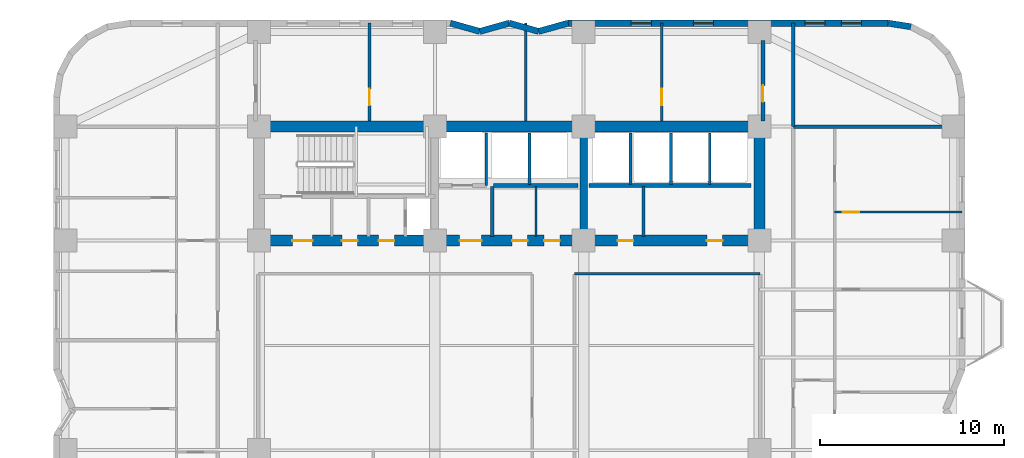
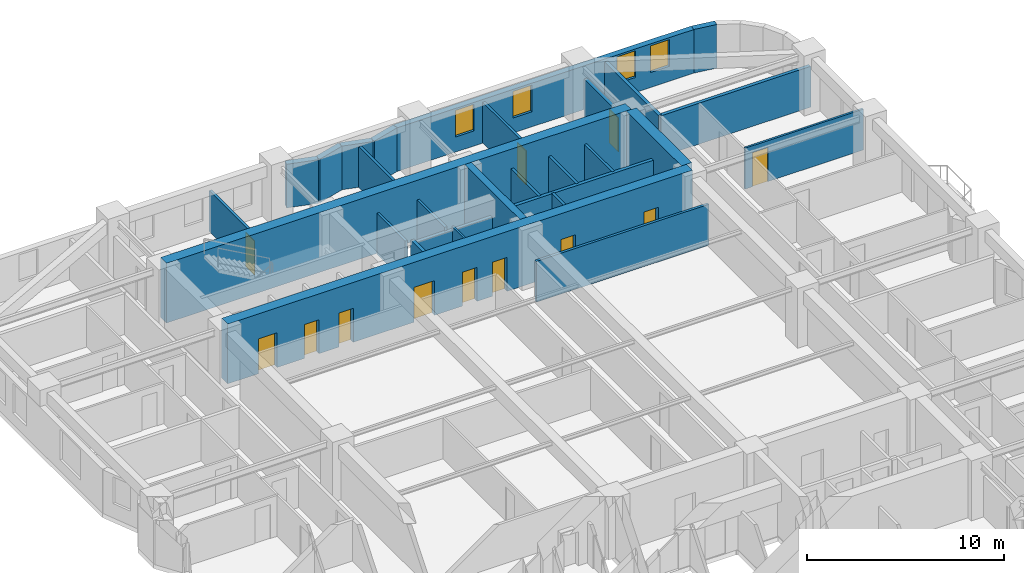
# One storey, part 7 of 10: 28 walls, 12 doors, 4 windows, 16 openings.
"""IFC4 building model written with IfcOpenShell, lengths in metres."""

from ifc_helpers import new_model, si_unit, direction, frame, frame_2d, origin, place, context, subcontext, project, spatial, rectangle, extrude, material, layer, layer_set, type_object, element, fill, save


model = new_model("IFC4")

# Units and contexts
model_context = context("Model", 3, precision=1e-05, world=origin(), true_north=direction((0.0, 1.0)))
body_context = subcontext(model_context, "Body", "Model", "MODEL_VIEW")
ifc_project = project(units=[si_unit("LENGTHUNIT", "METRE"), si_unit("AREAUNIT", "SQUARE_METRE"), si_unit("VOLUMEUNIT", "CUBIC_METRE"), si_unit("PLANEANGLEUNIT", "RADIAN"), si_unit("MASSUNIT", "GRAM", prefix="KILO")], contexts=[model_context])

# Site, building, storey
site_placement = place(None, origin())
site = spatial("IfcSite", under=ifc_project, at=site_placement, CompositionType="ELEMENT")
building_placement = place(site_placement, origin())
building = spatial("IfcBuilding", under=site, at=building_placement, Name="Svetorya Sky Lyceum", CompositionType="ELEMENT")
storey_placement = place(building_placement, frame((0.0, 0.0, 43.60009765625)))
storey = spatial("IfcBuildingStorey", under=building, at=storey_placement, Name="L10", CompositionType="ELEMENT", Elevation=43.60009765625)

# Walls
ifc_material_1 = material(Name="Concrete C40/50", Category="concrete")
ifc_layer_1 = layer(ifc_material_1, 0.39990234375)
ifc_layer_set_1 = layer_set([ifc_layer_1], Name="Concrete C40/50")
wall_type_1 = type_object("IfcWallType", Name="WL-CORE-400", PredefinedType="SHEAR", material=ifc_layer_set_1)
wall_1_placement = place(storey_placement, frame((43.25, 39.89990234375, 0.0), z_axis=(0.0, 0.0, 1.0), x_axis=(0.0, 1.0, 0.0)))
element("IfcWall", 1, at=wall_1_placement, inside=storey, type_object=wall_type_1, Name="L10 NC Internal Shear Web WEB2", PredefinedType="SHEAR", context=body_context, shape_type="SweptSolid", body=[
    extrude(rectangle(XDim=5.60009765625, YDim=0.39990234375, at=frame_2d((2.800048828125, 0.0))), origin(), (0.0, 0.0, 1.0), 3.699951171875),
])
ifc_material_2 = material(Name="Concrete C60/75", Category="concrete")
ifc_layer_2 = layer(ifc_material_2, 0.60009765625)
ifc_layer_set_2 = layer_set([ifc_layer_2], Name="Concrete C60/75")
wall_type_2 = type_object("IfcWallType", Name="WL-CORE-600", PredefinedType="SHEAR", material=ifc_layer_set_2)
wall_2_placement = place(storey_placement, frame((25.60009765625, 45.800048828125, 0.0), z_axis=(0.0, 0.0, 1.0), x_axis=(1.0, 0.0, 0.0)))
element("IfcWall", 2, at=wall_2_placement, inside=storey, type_object=wall_type_2, Name="L10 NC Outer Core Shear Wall", PredefinedType="SHEAR", context=body_context, shape_type="SweptSolid", body=[
    extrude(rectangle(XDim=27.199951171875, YDim=0.60009765625, at=frame_2d((13.60009765625, 0.0))), origin(), (0.0, 0.0, 1.0), 3.699951171875),
])
wall_3_placement = place(storey_placement, frame((52.800048828125, 39.89990234375, 0.0), z_axis=(0.0, 0.0, 1.0), x_axis=(0.0, 1.0, 0.0)))
element("IfcWall", 3, at=wall_3_placement, inside=storey, type_object=wall_type_2, Name="L10 NC East Core Shear Wall", PredefinedType="SHEAR", context=body_context, shape_type="SweptSolid", body=[
    extrude(rectangle(XDim=5.60009765625, YDim=0.60009765625, at=frame_2d((2.800048828125, 0.0))), origin(), (0.0, 0.0, 1.0), 3.699951171875),
])

# Wall, openings, doors
wall_4_placement = place(storey_placement, frame((52.800048828125, 39.60009765625, 0.0), z_axis=(0.0, 0.0, 1.0), x_axis=(-1.0, 0.0, 0.0)))
wall_4 = element("IfcWall", 4, at=wall_4_placement, inside=storey, type_object=wall_type_2, Name="L10 NC Inner Core Shear Wall", PredefinedType="SHEAR", context=body_context, shape_type="SweptSolid", body=[
    extrude(rectangle(XDim=27.199951171875, YDim=0.60009765625, at=frame_2d((13.60009765625, 0.0))), origin(), (0.0, 0.0, 1.0), 3.699951171875),
])
opening_1_placement = place(wall_4_placement, frame((24.300048828125, 0.0, 0.0)))
opening_1 = element("IfcOpeningElement", 5, at=opening_1_placement, cuts=wall_4, Name="Opening D-ST1", PredefinedType="OPENING", context=body_context, shape_type="SweptSolid", body=[
    extrude(rectangle(XDim=1.10009765625, YDim=2.14990234375, at=frame_2d((0.550048828125, 1.074951171875))), frame((0.0, 0.31005859375, 0.0), z_axis=(0.0, -1.0, 0.0), x_axis=(1.0, 0.0, 0.0)), (0.0, 0.0, 1.0), 0.6201171875),
])
opening_2_placement = place(wall_4_placement, frame((21.85009765625, 0.0, 0.0)))
opening_2 = element("IfcOpeningElement", 6, at=opening_2_placement, cuts=wall_4, Name="Opening D-CWC1", PredefinedType="OPENING", context=body_context, shape_type="SweptSolid", body=[
    extrude(rectangle(XDim=0.85009765625, YDim=2.10009765625, at=frame_2d((0.425048828125, 1.050048828125))), frame((0.0, 0.31005859375, 0.0), z_axis=(0.0, -1.0, 0.0), x_axis=(1.0, 0.0, 0.0)), (0.0, 0.0, 1.0), 0.6201171875),
])
opening_3_placement = place(wall_4_placement, frame((19.85009765625, 0.0, 0.0)))
opening_3 = element("IfcOpeningElement", 7, at=opening_3_placement, cuts=wall_4, Name="Opening D-CWC1", PredefinedType="OPENING", context=body_context, shape_type="SweptSolid", body=[
    extrude(rectangle(XDim=0.85009765625, YDim=2.10009765625, at=frame_2d((0.425048828125, 1.050048828125))), frame((0.0, 0.31005859375, 0.0), z_axis=(0.0, -1.0, 0.0), x_axis=(1.0, 0.0, 0.0)), (0.0, 0.0, 1.0), 0.6201171875),
])
opening_4_placement = place(wall_4_placement, frame((15.10009765625, 0.0, 0.0)))
opening_4 = element("IfcOpeningElement", 8, at=opening_4_placement, cuts=wall_4, Name="Opening D-FL1", PredefinedType="OPENING", context=body_context, shape_type="SweptSolid", body=[
    extrude(rectangle(XDim=1.199951171875, YDim=2.14990234375, at=frame_2d((0.60009765625, 1.074951171875))), frame((0.0, 0.31005859375, 0.0), z_axis=(0.0, -1.0, 0.0), x_axis=(1.0, 0.0, 0.0)), (0.0, 0.0, 1.0), 0.6201171875),
])
opening_5_placement = place(wall_4_placement, frame((12.60009765625, 0.0, 0.0)))
opening_5 = element("IfcOpeningElement", 9, at=opening_5_placement, cuts=wall_4, Name="Opening D-CWC1", PredefinedType="OPENING", context=body_context, shape_type="SweptSolid", body=[
    extrude(rectangle(XDim=0.85009765625, YDim=2.10009765625, at=frame_2d((0.425048828125, 1.050048828125))), frame((0.0, 0.31005859375, 0.0), z_axis=(0.0, -1.0, 0.0), x_axis=(1.0, 0.0, 0.0)), (0.0, 0.0, 1.0), 0.6201171875),
])
opening_6_placement = place(wall_4_placement, frame((10.85009765625, 0.0, 0.0)))
opening_6 = element("IfcOpeningElement", 10, at=opening_6_placement, cuts=wall_4, Name="Opening D-CWC1", PredefinedType="OPENING", context=body_context, shape_type="SweptSolid", body=[
    extrude(rectangle(XDim=0.85009765625, YDim=2.10009765625, at=frame_2d((0.425048828125, 1.050048828125))), frame((0.0, 0.31005859375, 0.0), z_axis=(0.0, -1.0, 0.0), x_axis=(1.0, 0.0, 0.0)), (0.0, 0.0, 1.0), 0.6201171875),
])
opening_7_placement = place(wall_4_placement, frame((6.85009765625, 0.0, 0.0)))
opening_7 = element("IfcOpeningElement", 11, at=opening_7_placement, cuts=wall_4, Name="Opening D-CWC1", PredefinedType="OPENING", context=body_context, shape_type="SweptSolid", body=[
    extrude(rectangle(XDim=0.85009765625, YDim=2.10009765625, at=frame_2d((0.425048828125, 1.050048828125))), frame((0.0, 0.31005859375, 0.0), z_axis=(0.0, -1.0, 0.0), x_axis=(1.0, 0.0, 0.0)), (0.0, 0.0, 1.0), 0.6201171875),
])
opening_8_placement = place(wall_4_placement, frame((2.0, 0.0, 0.0)))
opening_8 = element("IfcOpeningElement", 12, at=opening_8_placement, cuts=wall_4, Name="Opening D-CWC1", PredefinedType="OPENING", context=body_context, shape_type="SweptSolid", body=[
    extrude(rectangle(XDim=0.85009765625, YDim=2.10009765625, at=frame_2d((0.425048828125, 1.050048828125))), frame((0.0, 0.31005859375, 0.0), z_axis=(0.0, -1.0, 0.0), x_axis=(1.0, 0.0, 0.0)), (0.0, 0.0, 1.0), 0.6201171875),
])
ifc_material_3 = material(Name="Fire-rated galvanized steel core service closet door", Category="steel")
door_type_1 = type_object("IfcDoorType", Name="DR-CWET-850", OperationType="SINGLE_SWING_LEFT", PredefinedType="DOOR", material=ifc_material_3)
door_1_placement = place(opening_2_placement, origin())
door_1 = element("IfcDoor", 13, at=door_1_placement, inside=storey, type_object=door_type_1, Name="L10 North Cleaner Door", OperationType="SINGLE_SWING_RIGHT", OverallHeight=2.10009765625, OverallWidth=0.85009765625, PredefinedType="DOOR", context=body_context, shape_type="SweptSolid", body=[
    extrude(rectangle(XDim=0.85009765625, YDim=2.10009765625, at=frame_2d((0.425048828125, 1.050048828125))), frame((0.0, 0.02490234375, 0.0), z_axis=(0.0, -1.0, 0.0), x_axis=(1.0, 0.0, 0.0)), (0.0, 0.0, 1.0), 0.050048828125),
])
fill(opening_2, door_1)
door_2_placement = place(opening_3_placement, origin())
door_2 = element("IfcDoor", 14, at=door_2_placement, inside=storey, type_object=door_type_1, Name="L10 North Meter Door", OperationType="SINGLE_SWING_LEFT", OverallHeight=2.10009765625, OverallWidth=0.85009765625, PredefinedType="DOOR", context=body_context, shape_type="SweptSolid", body=[
    extrude(rectangle(XDim=0.85009765625, YDim=2.10009765625, at=frame_2d((0.425048828125, 1.050048828125))), frame((0.0, 0.02490234375, 0.0), z_axis=(0.0, -1.0, 0.0), x_axis=(1.0, 0.0, 0.0)), (0.0, 0.0, 1.0), 0.050048828125),
])
fill(opening_3, door_2)
door_3_placement = place(opening_5_placement, origin())
door_3 = element("IfcDoor", 15, at=door_3_placement, inside=storey, type_object=door_type_1, Name="L10 North BMS Door", OperationType="SINGLE_SWING_LEFT", OverallHeight=2.10009765625, OverallWidth=0.85009765625, PredefinedType="DOOR", context=body_context, shape_type="SweptSolid", body=[
    extrude(rectangle(XDim=0.85009765625, YDim=2.10009765625, at=frame_2d((0.425048828125, 1.050048828125))), frame((0.0, 0.02490234375, 0.0), z_axis=(0.0, -1.0, 0.0), x_axis=(1.0, 0.0, 0.0)), (0.0, 0.0, 1.0), 0.050048828125),
])
fill(opening_5, door_3)
door_4_placement = place(opening_6_placement, origin())
door_4 = element("IfcDoor", 16, at=door_4_placement, inside=storey, type_object=door_type_1, Name="L10 North Linen Door", OperationType="SINGLE_SWING_RIGHT", OverallHeight=2.10009765625, OverallWidth=0.85009765625, PredefinedType="DOOR", context=body_context, shape_type="SweptSolid", body=[
    extrude(rectangle(XDim=0.85009765625, YDim=2.10009765625, at=frame_2d((0.425048828125, 1.050048828125))), frame((0.0, 0.02490234375, 0.0), z_axis=(0.0, -1.0, 0.0), x_axis=(1.0, 0.0, 0.0)), (0.0, 0.0, 1.0), 0.050048828125),
])
fill(opening_6, door_4)
door_5_placement = place(opening_7_placement, origin())
door_5 = element("IfcDoor", 17, at=door_5_placement, inside=storey, type_object=door_type_1, Name="L10 North Electrical Door", OperationType="SINGLE_SWING_LEFT", OverallHeight=2.10009765625, OverallWidth=0.85009765625, PredefinedType="DOOR", context=body_context, shape_type="SweptSolid", body=[
    extrude(rectangle(XDim=0.85009765625, YDim=2.10009765625, at=frame_2d((0.425048828125, 1.050048828125))), frame((0.0, 0.02490234375, 0.0), z_axis=(0.0, -1.0, 0.0), x_axis=(1.0, 0.0, 0.0)), (0.0, 0.0, 1.0), 0.050048828125),
])
fill(opening_7, door_5)
door_6_placement = place(opening_8_placement, origin())
door_6 = element("IfcDoor", 18, at=door_6_placement, inside=storey, type_object=door_type_1, Name="L10 North Pram Door", OperationType="SINGLE_SWING_RIGHT", OverallHeight=2.10009765625, OverallWidth=0.85009765625, PredefinedType="DOOR", context=body_context, shape_type="SweptSolid", body=[
    extrude(rectangle(XDim=0.85009765625, YDim=2.10009765625, at=frame_2d((0.425048828125, 1.050048828125))), frame((0.0, 0.02490234375, 0.0), z_axis=(0.0, -1.0, 0.0), x_axis=(1.0, 0.0, 0.0)), (0.0, 0.0, 1.0), 0.050048828125),
])
fill(opening_8, door_6)
ifc_material_4 = material(Name="Powder-coated insulated galvanized stair fire door")
door_type_2 = type_object("IfcDoorType", Name="DR-FIRE-1100", OperationType="SINGLE_SWING_LEFT", PredefinedType="DOOR", material=ifc_material_4)
door_7_placement = place(opening_1_placement, origin())
door_7 = element("IfcDoor", 19, at=door_7_placement, inside=storey, type_object=door_type_2, Name="L10 North Stair Airlock Door", OperationType="SINGLE_SWING_LEFT", OverallHeight=2.14990234375, OverallWidth=1.10009765625, PredefinedType="DOOR", context=body_context, shape_type="SweptSolid", body=[
    extrude(rectangle(XDim=1.10009765625, YDim=2.14990234375, at=frame_2d((0.550048828125, 1.074951171875))), frame((0.0, 0.02490234375, 0.0), z_axis=(0.0, -1.0, 0.0), x_axis=(1.0, 0.0, 0.0)), (0.0, 0.0, 1.0), 0.050048828125),
])
fill(opening_1, door_7)
ifc_material_5 = material(Name="Powder-coated insulated galvanized fire door")
door_type_3 = type_object("IfcDoorType", Name="DR-FIRE-1200", OperationType="SINGLE_SWING_LEFT", PredefinedType="DOOR", material=ifc_material_5)
door_8_placement = place(opening_4_placement, origin())
door_8 = element("IfcDoor", 20, at=door_8_placement, inside=storey, type_object=door_type_3, Name="L10 North Firefighting Lift Lobby Door", OperationType="SINGLE_SWING_RIGHT", OverallHeight=2.14990234375, OverallWidth=1.199951171875, PredefinedType="DOOR", context=body_context, shape_type="SweptSolid", body=[
    extrude(rectangle(XDim=1.199951171875, YDim=2.14990234375, at=frame_2d((0.60009765625, 1.074951171875))), frame((0.0, 0.02490234375, 0.0), z_axis=(0.0, -1.0, 0.0), x_axis=(1.0, 0.0, 0.0)), (0.0, 0.0, 1.0), 0.050048828125),
])
fill(opening_4, door_8)

# Wall
ifc_material_6 = material(Name="Putilovo limestone rainscreen on autoclaved cellular masonry", Category="masonry")
ifc_layer_3 = layer(ifc_material_6, 0.340087890625)
ifc_layer_set_3 = layer_set([ifc_layer_3], Name="Putilovo limestone rainscreen on autoclaved cellular masonry")
wall_type_3 = type_object("IfcWallType", Name="WL-EXT-340", PredefinedType="SOLIDWALL", material=ifc_layer_set_3)
wall_5_placement = place(storey_placement, frame((61.04541015625, 51.23291015625, 0.0), z_axis=(0.0, 0.0, 1.0), x_axis=(-0.98771582066, 0.156260864002, 0.0)))
element("IfcWall", 21, at=wall_5_placement, inside=storey, type_object=wall_type_3, Name="L10 Limestone Exterior Wall 28M", PredefinedType="SOLIDWALL", context=body_context, shape_type="SweptSolid", body=[
    extrude(rectangle(XDim=1.2607421875, YDim=0.340087890625, at=frame_2d((0.63037109375, 0.0))), origin(), (0.0, 0.0, 1.0), 2.699951171875),
])

# Wall, openings, windows
wall_6_placement = place(storey_placement, frame((59.800048828125, 51.429931640625, 0.0), z_axis=(0.0, 0.0, 1.0), x_axis=(-1.0, 0.0, 0.0)))
wall_6 = element("IfcWall", 22, at=wall_6_placement, inside=storey, type_object=wall_type_3, Name="L10 Limestone Exterior Wall 29M", PredefinedType="SOLIDWALL", context=body_context, shape_type="SweptSolid", body=[
    extrude(rectangle(XDim=17.400146484375, YDim=0.340087890625, at=frame_2d((8.7001953125, 0.0))), origin(), (0.0, 0.0, 1.0), 2.699951171875),
])
opening_9_placement = place(wall_6_placement, frame((1.441650390625, 0.0, 0.929931640625)))
opening_9 = element("IfcOpeningElement", 23, at=opening_9_placement, cuts=wall_6, Name="Opening W-R3", PredefinedType="OPENING", context=body_context, shape_type="SweptSolid", body=[
    extrude(rectangle(XDim=1.10009765625, YDim=1.64990234375, at=frame_2d((0.550048828125, 0.824951171875))), frame((0.0, 0.179931640625, 0.0), z_axis=(0.0, -1.0, 0.0), x_axis=(1.0, 0.0, 0.0)), (0.0, 0.0, 1.0), 0.360107421875),
])
opening_10_placement = place(wall_6_placement, frame((3.425048828125, 0.0, 0.929931640625)))
opening_10 = element("IfcOpeningElement", 24, at=opening_10_placement, cuts=wall_6, Name="Opening W-R3", PredefinedType="OPENING", context=body_context, shape_type="SweptSolid", body=[
    extrude(rectangle(XDim=1.10009765625, YDim=1.64990234375, at=frame_2d((0.550048828125, 0.824951171875))), frame((0.0, 0.179931640625, 0.0), z_axis=(0.0, -1.0, 0.0), x_axis=(1.0, 0.0, 0.0)), (0.0, 0.0, 1.0), 0.360107421875),
])
opening_11_placement = place(wall_6_placement, frame((9.49169921875, 0.0, 0.929931640625)))
opening_11 = element("IfcOpeningElement", 25, at=opening_11_placement, cuts=wall_6, Name="Opening W-R3", PredefinedType="OPENING", context=body_context, shape_type="SweptSolid", body=[
    extrude(rectangle(XDim=1.10009765625, YDim=1.64990234375, at=frame_2d((0.550048828125, 0.824951171875))), frame((0.0, 0.179931640625, 0.0), z_axis=(0.0, -1.0, 0.0), x_axis=(1.0, 0.0, 0.0)), (0.0, 0.0, 1.0), 0.360107421875),
])
opening_12_placement = place(wall_6_placement, frame((12.875, 0.0, 0.929931640625)))
opening_12 = element("IfcOpeningElement", 26, at=opening_12_placement, cuts=wall_6, Name="Opening W-R3", PredefinedType="OPENING", context=body_context, shape_type="SweptSolid", body=[
    extrude(rectangle(XDim=1.10009765625, YDim=1.64990234375, at=frame_2d((0.550048828125, 0.824951171875))), frame((0.0, 0.179931640625, 0.0), z_axis=(0.0, -1.0, 0.0), x_axis=(1.0, 0.0, 0.0)), (0.0, 0.0, 1.0), 0.360107421875),
])
ifc_material_7 = material(Name="Thermally broken aluminium frame with triple low-E glazing", Category="aluminium")
window_type = type_object("IfcWindowType", Name="WN-RES-110", PartitioningType="SINGLE_PANEL", PredefinedType="WINDOW", material=ifc_material_7)
window_1_placement = place(opening_9_placement, origin())
window_1 = element("IfcWindow", 27, at=window_1_placement, inside=storey, type_object=window_type, Name="L10 Facade Window W-R3.29M.1", OverallHeight=1.64990234375, OverallWidth=1.10009765625, PartitioningType="SINGLE_PANEL", PredefinedType="WINDOW", context=body_context, shape_type="SweptSolid", body=[
    extrude(rectangle(XDim=1.10009765625, YDim=1.64990234375, at=frame_2d((0.550048828125, 0.824951171875))), frame((0.0, 0.030029296875, 0.0), z_axis=(0.0, -1.0, 0.0), x_axis=(1.0, 0.0, 0.0)), (0.0, 0.0, 1.0), 0.06005859375),
])
fill(opening_9, window_1)
window_2_placement = place(opening_10_placement, origin())
window_2 = element("IfcWindow", 28, at=window_2_placement, inside=storey, type_object=window_type, Name="L10 Facade Window W-R3.29M.2", OverallHeight=1.64990234375, OverallWidth=1.10009765625, PartitioningType="SINGLE_PANEL", PredefinedType="WINDOW", context=body_context, shape_type="SweptSolid", body=[
    extrude(rectangle(XDim=1.10009765625, YDim=1.64990234375, at=frame_2d((0.550048828125, 0.824951171875))), frame((0.0, 0.030029296875, 0.0), z_axis=(0.0, -1.0, 0.0), x_axis=(1.0, 0.0, 0.0)), (0.0, 0.0, 1.0), 0.06005859375),
])
fill(opening_10, window_2)
window_3_placement = place(opening_11_placement, origin())
window_3 = element("IfcWindow", 29, at=window_3_placement, inside=storey, type_object=window_type, Name="L10 Facade Window W-R3.29M.3", OverallHeight=1.64990234375, OverallWidth=1.10009765625, PartitioningType="SINGLE_PANEL", PredefinedType="WINDOW", context=body_context, shape_type="SweptSolid", body=[
    extrude(rectangle(XDim=1.10009765625, YDim=1.64990234375, at=frame_2d((0.550048828125, 0.824951171875))), frame((0.0, 0.030029296875, 0.0), z_axis=(0.0, -1.0, 0.0), x_axis=(1.0, 0.0, 0.0)), (0.0, 0.0, 1.0), 0.06005859375),
])
fill(opening_11, window_3)
window_4_placement = place(opening_12_placement, origin())
window_4 = element("IfcWindow", 30, at=window_4_placement, inside=storey, type_object=window_type, Name="L10 Facade Window W-R3.29M.4", OverallHeight=1.64990234375, OverallWidth=1.10009765625, PartitioningType="SINGLE_PANEL", PredefinedType="WINDOW", context=body_context, shape_type="SweptSolid", body=[
    extrude(rectangle(XDim=1.10009765625, YDim=1.64990234375, at=frame_2d((0.550048828125, 0.824951171875))), frame((0.0, 0.030029296875, 0.0), z_axis=(0.0, -1.0, 0.0), x_axis=(1.0, 0.0, 0.0)), (0.0, 0.0, 1.0), 0.06005859375),
])
fill(opening_12, window_4)

# Walls
wall_7_placement = place(storey_placement, frame((42.39990234375, 51.429931640625, 0.0), z_axis=(0.0, 0.0, 1.0), x_axis=(-0.962652136636, -0.270741322725, 0.0)))
element("IfcWall", 31, at=wall_7_placement, inside=storey, type_object=wall_type_3, Name="L10 Limestone Exterior Wall 30M", PredefinedType="SOLIDWALL", context=body_context, shape_type="SweptSolid", body=[
    extrude(rectangle(XDim=1.661865234375, YDim=0.340087890625, at=frame_2d((0.8310546875, 0.0))), origin(), (0.0, 0.0, 1.0), 2.699951171875),
])
wall_8_placement = place(storey_placement, frame((40.800048828125, 50.97998046875, 0.0), z_axis=(0.0, 0.0, 1.0), x_axis=(-0.962662902433, 0.270703040766, 0.0)))
element("IfcWall", 32, at=wall_8_placement, inside=storey, type_object=wall_type_3, Name="L10 Limestone Exterior Wall 31M", PredefinedType="SOLIDWALL", context=body_context, shape_type="SweptSolid", body=[
    extrude(rectangle(XDim=1.662109375, YDim=0.340087890625, at=frame_2d((0.8310546875, 0.0))), origin(), (0.0, 0.0, 1.0), 2.699951171875),
])
wall_9_placement = place(storey_placement, frame((39.199951171875, 51.429931640625, 0.0), z_axis=(0.0, 0.0, 1.0), x_axis=(-0.962652136636, -0.270741322725, 0.0)))
element("IfcWall", 33, at=wall_9_placement, inside=storey, type_object=wall_type_3, Name="L10 Limestone Exterior Wall 32M", PredefinedType="SOLIDWALL", context=body_context, shape_type="SweptSolid", body=[
    extrude(rectangle(XDim=1.661865234375, YDim=0.340087890625, at=frame_2d((0.8310546875, 0.0))), origin(), (0.0, 0.0, 1.0), 2.699951171875),
])
wall_10_placement = place(storey_placement, frame((37.60009765625, 50.97998046875, 0.0), z_axis=(0.0, 0.0, 1.0), x_axis=(-0.962662902433, 0.270703040766, 0.0)))
element("IfcWall", 34, at=wall_10_placement, inside=storey, type_object=wall_type_3, Name="L10 Limestone Exterior Wall 33M", PredefinedType="SOLIDWALL", context=body_context, shape_type="SweptSolid", body=[
    extrude(rectangle(XDim=1.662109375, YDim=0.340087890625, at=frame_2d((0.8310546875, 0.0))), origin(), (0.0, 0.0, 1.0), 2.699951171875),
])
ifc_material_8 = material(Name="Twin-stud galvanized framing with double fireboard", Category="gypsum")
ifc_layer_4 = layer(ifc_material_8, 0.1201171875)
ifc_layer_set_4 = layer_set([ifc_layer_4], Name="Twin-stud galvanized framing with double fireboard")
wall_type_4 = type_object("IfcWallType", Name="WL-PART-120", PredefinedType="PARTITIONING", material=ifc_layer_set_4)
wall_11_placement = place(storey_placement, frame((40.64990234375, 39.820068359375, 0.0), z_axis=(0.0, 0.0, 1.0), x_axis=(0.0, 1.0, 0.0)))
element("IfcWall", 35, at=wall_11_placement, inside=storey, type_object=wall_type_4, Name="L10 Interior Partition NC-Z1D", PredefinedType="PARTITIONING", context=body_context, shape_type="SweptSolid", body=[
    extrude(rectangle(XDim=2.72998046875, YDim=0.1201171875, at=frame_2d((1.364990234375, 0.0))), origin(), (0.0, 0.0, 1.0), 2.52978515625),
])

# Wall, opening, door
wall_12_placement = place(storey_placement, frame((56.89990234375, 41.14990234375, 0.0), z_axis=(0.0, 0.0, 1.0), x_axis=(1.0, 0.0, 0.0)))
wall_12 = element("IfcWall", 36, at=wall_12_placement, inside=storey, type_object=wall_type_4, Name="L10 Interior Partition E2-WL3", PredefinedType="PARTITIONING", context=body_context, shape_type="SweptSolid", body=[
    extrude(rectangle(XDim=6.93017578125, YDim=0.1201171875, at=frame_2d((3.465087890625, 0.0))), origin(), (0.0, 0.0, 1.0), 2.52978515625),
])
opening_13_placement = place(wall_12_placement, frame((0.449951171875, 0.0, 0.0)))
opening_13 = element("IfcOpeningElement", 37, at=opening_13_placement, cuts=wall_12, Name="Opening D-RM1", PredefinedType="OPENING", context=body_context, shape_type="SweptSolid", body=[
    extrude(rectangle(XDim=0.89990234375, YDim=2.10009765625, at=frame_2d((0.449951171875, 1.050048828125))), frame((0.0, 0.070068359375, 0.0), z_axis=(0.0, -1.0, 0.0), x_axis=(1.0, 0.0, 0.0)), (0.0, 0.0, 1.0), 0.14013671875),
])
ifc_material_9 = material(Name="Lacquered birch veneer internal door")
door_type_4 = type_object("IfcDoorType", Name="DR-INT-900", OperationType="SINGLE_SWING_LEFT", PredefinedType="DOOR", material=ifc_material_9)
door_9_placement = place(opening_13_placement, origin())
door_9 = element("IfcDoor", 38, at=door_9_placement, inside=storey, type_object=door_type_4, Name="Apartment E2 Bedroom 3 Door", OperationType="SINGLE_SWING_LEFT", OverallHeight=2.10009765625, OverallWidth=0.89990234375, PredefinedType="DOOR", context=body_context, shape_type="SweptSolid", body=[
    extrude(rectangle(XDim=0.89990234375, YDim=2.10009765625, at=frame_2d((0.449951171875, 1.050048828125))), frame((0.0, 0.02490234375, 0.0), z_axis=(0.0, -1.0, 0.0), x_axis=(1.0, 0.0, 0.0)), (0.0, 0.0, 1.0), 0.050048828125),
])
fill(opening_13, door_9)

# Walls
ifc_material_10 = material(Name="Autoclaved cellular masonry blockwork with acoustic render", Category="masonry")
ifc_layer_5 = layer(ifc_material_10, 0.14990234375)
ifc_layer_set_5 = layer_set([ifc_layer_5], Name="Autoclaved cellular masonry blockwork with acoustic render")
wall_type_5 = type_object("IfcWallType", Name="WL-PART-150", PredefinedType="PARTITIONING", material=ifc_layer_set_5)
wall_13_placement = place(storey_placement, frame((37.949951171875, 42.60009765625, 0.0), z_axis=(0.0, 0.0, 1.0), x_axis=(0.0, 1.0, 0.0)))
element("IfcWall", 39, at=wall_13_placement, inside=storey, type_object=wall_type_5, Name="L10 Interior Partition NC-FL1SIDE", PredefinedType="PARTITIONING", context=body_context, shape_type="SweptSolid", body=[
    extrude(rectangle(XDim=2.849853515625, YDim=0.14990234375, at=frame_2d((1.4248046875, 0.0))), origin(), (0.0, 0.0, 1.0), 2.52978515625),
])
for number, where, z_axis, x_axis, name in (
    (40, (40.300048828125, 42.64990234375, 0.0), (0.0, 0.0, 1.0), (0.0, 1.0, 0.0), "L10 Interior Partition NC-PM-D1"),
    (41, (45.800048828125, 42.64990234375, 0.0), (0.0, 0.0, 1.0), (0.0, 1.0, 0.0), "L10 Interior Partition NC-PM3-D"),
    (42, (48.0, 42.64990234375, 0.0), (0.0, 0.0, 1.0), (0.0, 1.0, 0.0), "L10 Interior Partition NC-PH-D1"),
    (43, (50.10009765625, 42.64990234375, 0.0), (0.0, 0.0, 1.0), (0.0, 1.0, 0.0), "L10 Interior Partition NC-PH-D2"),
):
    element("IfcWall", number, at=place(storey_placement, frame(where, z_axis=z_axis, x_axis=x_axis)), inside=storey, type_object=wall_type_5, Name=name, PredefinedType="PARTITIONING", context=body_context, shape_type="SweptSolid", body=[
        extrude(rectangle(XDim=2.800048828125, YDim=0.14990234375, at=frame_2d((1.39990234375, 0.0))), origin(), (0.0, 0.0, 1.0), 2.52978515625),
    ])
wall_14_placement = place(storey_placement, frame((46.5, 39.820068359375, 0.0), z_axis=(0.0, 0.0, 1.0), x_axis=(0.0, 1.0, 0.0)))
element("IfcWall", 44, at=wall_14_placement, inside=storey, type_object=wall_type_5, Name="L10 Interior Partition NC-ED1", PredefinedType="PARTITIONING", context=body_context, shape_type="SweptSolid", body=[
    extrude(rectangle(XDim=2.72998046875, YDim=0.14990234375, at=frame_2d((1.364990234375, 0.0))), origin(), (0.0, 0.0, 1.0), 2.52978515625),
])
wall_15_placement = place(storey_placement, frame((42.75, 37.800048828125, 0.0), z_axis=(0.0, 0.0, 1.0), x_axis=(1.0, 0.0, 0.0)))
element("IfcWall", 45, at=wall_15_placement, inside=storey, type_object=wall_type_5, Name="L10 Interior Partition CN-MID-E", PredefinedType="PARTITIONING", context=body_context, shape_type="SweptSolid", body=[
    extrude(rectangle(XDim=10.10009765625, YDim=0.14990234375, at=frame_2d((5.050048828125, 0.0))), origin(), (0.0, 0.0, 1.0), 2.52978515625),
])

# Wall, opening, door
wall_16_placement = place(storey_placement, frame((31.60009765625, 46.10009765625, 0.0), z_axis=(0.0, 0.0, 1.0), x_axis=(0.0, 1.0, 0.0)))
wall_16 = element("IfcWall", 46, at=wall_16_placement, inside=storey, type_object=wall_type_5, Name="L10 Interior Partition N4-D1", PredefinedType="PARTITIONING", context=body_context, shape_type="SweptSolid", body=[
    extrude(rectangle(XDim=5.329833984375, YDim=0.14990234375, at=frame_2d((2.6650390625, 0.0))), origin(), (0.0, 0.0, 1.0), 2.52978515625),
])
opening_14_placement = place(wall_16_placement, frame((0.85009765625, 0.0, 0.0)))
opening_14 = element("IfcOpeningElement", 47, at=opening_14_placement, cuts=wall_16, Name="Opening D-RM1", PredefinedType="OPENING", context=body_context, shape_type="SweptSolid", body=[
    extrude(rectangle(XDim=0.89990234375, YDim=2.10009765625, at=frame_2d((0.449951171875, 1.050048828125))), frame((0.0, 0.0849609375, 0.0), z_axis=(0.0, -1.0, 0.0), x_axis=(1.0, 0.0, 0.0)), (0.0, 0.0, 1.0), 0.169921875),
])
door_10_placement = place(opening_14_placement, origin())
door_10 = element("IfcDoor", 48, at=door_10_placement, inside=storey, type_object=door_type_4, Name="L10 North Suite Door 1", OperationType="SINGLE_SWING_RIGHT", OverallHeight=2.10009765625, OverallWidth=0.89990234375, PredefinedType="DOOR", context=body_context, shape_type="SweptSolid", body=[
    extrude(rectangle(XDim=0.89990234375, YDim=2.10009765625, at=frame_2d((0.449951171875, 1.050048828125))), frame((0.0, 0.02490234375, 0.0), z_axis=(0.0, -1.0, 0.0), x_axis=(1.0, 0.0, 0.0)), (0.0, 0.0, 1.0), 0.050048828125),
])
fill(opening_14, door_10)

# Wall
wall_17_placement = place(storey_placement, frame((40.10009765625, 46.10009765625, 0.0), z_axis=(0.0, 0.0, 1.0), x_axis=(0.0, 1.0, 0.0)))
element("IfcWall", 49, at=wall_17_placement, inside=storey, type_object=wall_type_5, Name="L10 Interior Partition N4-D2", PredefinedType="PARTITIONING", context=body_context, shape_type="SweptSolid", body=[
    extrude(rectangle(XDim=5.329833984375, YDim=0.14990234375, at=frame_2d((2.6650390625, 0.0))), origin(), (0.0, 0.0, 1.0), 2.52978515625),
])

# Wall, opening, door
wall_18_placement = place(storey_placement, frame((47.5, 46.10009765625, 0.0), z_axis=(0.0, 0.0, 1.0), x_axis=(0.0, 1.0, 0.0)))
wall_18 = element("IfcWall", 50, at=wall_18_placement, inside=storey, type_object=wall_type_5, Name="L10 Interior Partition N4-D3", PredefinedType="PARTITIONING", context=body_context, shape_type="SweptSolid", body=[
    extrude(rectangle(XDim=5.329833984375, YDim=0.14990234375, at=frame_2d((2.6650390625, 0.0))), origin(), (0.0, 0.0, 1.0), 2.52978515625),
])
opening_15_placement = place(wall_18_placement, frame((0.85009765625, 0.0, 0.0)))
opening_15 = element("IfcOpeningElement", 51, at=opening_15_placement, cuts=wall_18, Name="Opening D-RM1", PredefinedType="OPENING", context=body_context, shape_type="SweptSolid", body=[
    extrude(rectangle(XDim=0.89990234375, YDim=2.10009765625, at=frame_2d((0.449951171875, 1.050048828125))), frame((0.0, 0.0849609375, 0.0), z_axis=(0.0, -1.0, 0.0), x_axis=(1.0, 0.0, 0.0)), (0.0, 0.0, 1.0), 0.169921875),
])
door_11_placement = place(opening_15_placement, origin())
door_11 = element("IfcDoor", 52, at=door_11_placement, inside=storey, type_object=door_type_4, Name="L10 North Suite Door 3", OperationType="SINGLE_SWING_RIGHT", OverallHeight=2.10009765625, OverallWidth=0.89990234375, PredefinedType="DOOR", context=body_context, shape_type="SweptSolid", body=[
    extrude(rectangle(XDim=0.89990234375, YDim=2.10009765625, at=frame_2d((0.449951171875, 1.050048828125))), frame((0.0, 0.02490234375, 0.0), z_axis=(0.0, -1.0, 0.0), x_axis=(1.0, 0.0, 0.0)), (0.0, 0.0, 1.0), 0.050048828125),
])
fill(opening_15, door_11)

# Walls
ifc_material_11 = material(Name="Autoclaved cellular masonry blockwork with gypsum plaster", Category="masonry")
ifc_layer_6 = layer(ifc_material_11, 0.199951171875)
ifc_layer_set_6 = layer_set([ifc_layer_6], Name="Autoclaved cellular masonry blockwork with gypsum plaster")
wall_type_6 = type_object("IfcWallType", Name="WL-PART-200", PredefinedType="PARTITIONING", material=ifc_layer_set_6)
wall_19_placement = place(storey_placement, frame((38.280029296875, 39.820068359375, 0.0), z_axis=(0.0, 0.0, 1.0), x_axis=(0.0, 1.0, 0.0)))
element("IfcWall", 53, at=wall_19_placement, inside=storey, type_object=wall_type_6, Name="L10 Interior Partition NC-FFLDIV", PredefinedType="PARTITIONING", context=body_context, shape_type="SweptSolid", body=[
    extrude(rectangle(XDim=2.72998046875, YDim=0.199951171875, at=frame_2d((1.364990234375, 0.0))), origin(), (0.0, 0.0, 1.0), 2.52978515625),
])
wall_20_placement = place(storey_placement, frame((42.949951171875, 42.60009765625, 0.0), z_axis=(0.0, 0.0, 1.0), x_axis=(-1.0, 0.0, 0.0)))
element("IfcWall", 54, at=wall_20_placement, inside=storey, type_object=wall_type_6, Name="L10 Interior Partition NC-PM12W", PredefinedType="PARTITIONING", context=body_context, shape_type="SweptSolid", body=[
    extrude(rectangle(XDim=4.599853515625, YDim=0.199951171875, at=frame_2d((2.2998046875, 0.0))), origin(), (0.0, 0.0, 1.0), 2.2998046875),
])
wall_21_placement = place(storey_placement, frame((52.35009765625, 42.60009765625, 0.0), z_axis=(0.0, 0.0, 1.0), x_axis=(-1.0, 0.0, 0.0)))
element("IfcWall", 55, at=wall_21_placement, inside=storey, type_object=wall_type_6, Name="L10 Interior Partition NC-PHEW", PredefinedType="PARTITIONING", context=body_context, shape_type="SweptSolid", body=[
    extrude(rectangle(XDim=8.800048828125, YDim=0.199951171875, at=frame_2d((4.39990234375, 0.0))), origin(), (0.0, 0.0, 1.0), 2.52978515625),
])
wall_22_placement = place(storey_placement, frame((54.64990234375, 45.800048828125, 0.0), z_axis=(0.0, 0.0, 1.0), x_axis=(1.0, 0.0, 0.0)))
element("IfcWall", 56, at=wall_22_placement, inside=storey, type_object=wall_type_6, Name="L10 Interior Partition E-CAP-N", PredefinedType="PARTITIONING", context=body_context, shape_type="SweptSolid", body=[
    extrude(rectangle(XDim=8.760009765625, YDim=0.199951171875, at=frame_2d((4.3798828125, 0.0))), origin(), (0.0, 0.0, 1.0), 2.52978515625),
])
wall_23_placement = place(storey_placement, frame((54.64990234375, 45.800048828125, 0.0), z_axis=(0.0, 0.0, 1.0), x_axis=(0.0, 1.0, 0.0)))
element("IfcWall", 57, at=wall_23_placement, inside=storey, type_object=wall_type_6, Name="L10 Interior Partition EC-NE-END", PredefinedType="PARTITIONING", context=body_context, shape_type="SweptSolid", body=[
    extrude(rectangle(XDim=5.6298828125, YDim=0.199951171875, at=frame_2d((2.81494140625, 0.0))), origin(), (0.0, 0.0, 1.0), 2.52978515625),
])

# Wall, opening, door
wall_24_placement = place(storey_placement, frame((53.0, 46.10009765625, 0.0), z_axis=(0.0, 0.0, 1.0), x_axis=(0.0, 1.0, 0.0)))
wall_24 = element("IfcWall", 58, at=wall_24_placement, inside=storey, type_object=wall_type_6, Name="L10 Interior Partition N4-EE", PredefinedType="PARTITIONING", context=body_context, shape_type="SweptSolid", body=[
    extrude(rectangle(XDim=4.3798828125, YDim=0.199951171875, at=frame_2d((2.18994140625, 0.0))), origin(), (0.0, 0.0, 1.0), 2.52978515625),
])
opening_16_placement = place(wall_24_placement, frame((1.050048828125, 0.0, 0.0)))
opening_16 = element("IfcOpeningElement", 59, at=opening_16_placement, cuts=wall_24, Name="Opening D-RM1", PredefinedType="OPENING", context=body_context, shape_type="SweptSolid", body=[
    extrude(rectangle(XDim=0.89990234375, YDim=2.10009765625, at=frame_2d((0.449951171875, 1.050048828125))), frame((0.0, 0.10986328125, 0.0), z_axis=(0.0, -1.0, 0.0), x_axis=(1.0, 0.0, 0.0)), (0.0, 0.0, 1.0), 0.219970703125),
])
door_12_placement = place(opening_16_placement, origin())
door_12 = element("IfcDoor", 60, at=door_12_placement, inside=storey, type_object=door_type_4, Name="L10 NE Office Door", OperationType="SINGLE_SWING_LEFT", OverallHeight=2.10009765625, OverallWidth=0.89990234375, PredefinedType="DOOR", context=body_context, shape_type="SweptSolid", body=[
    extrude(rectangle(XDim=0.89990234375, YDim=2.10009765625, at=frame_2d((0.449951171875, 1.050048828125))), frame((0.0, 0.02490234375, 0.0), z_axis=(0.0, -1.0, 0.0), x_axis=(1.0, 0.0, 0.0)), (0.0, 0.0, 1.0), 0.050048828125),
])
fill(opening_16, door_12)

save(model, "model.ifc")
